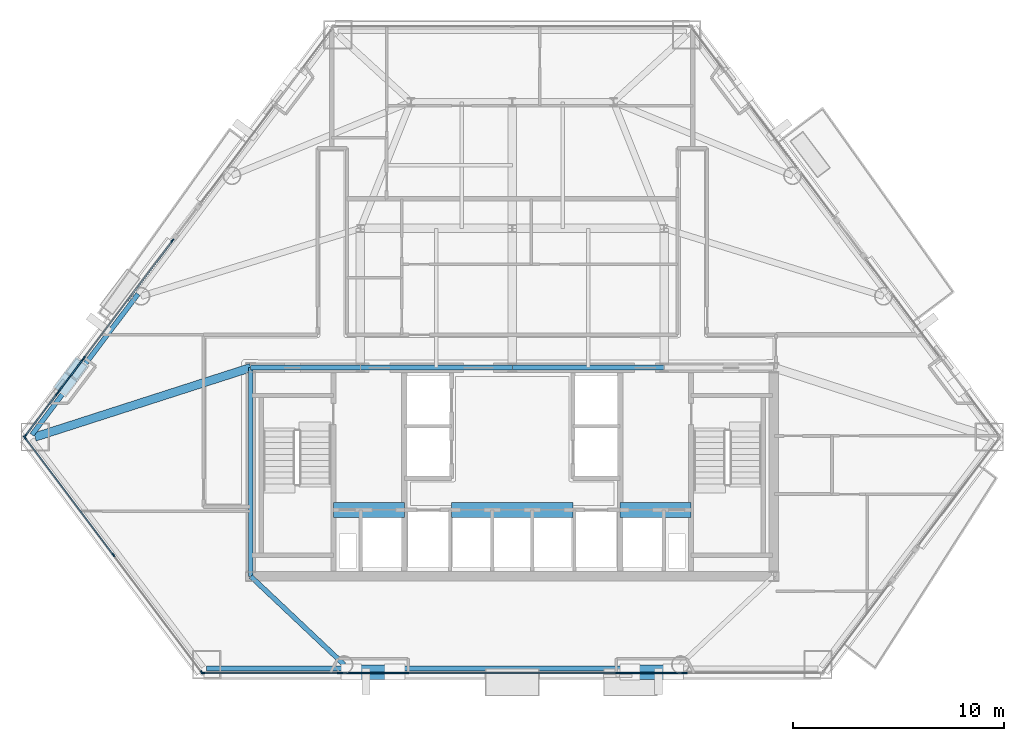
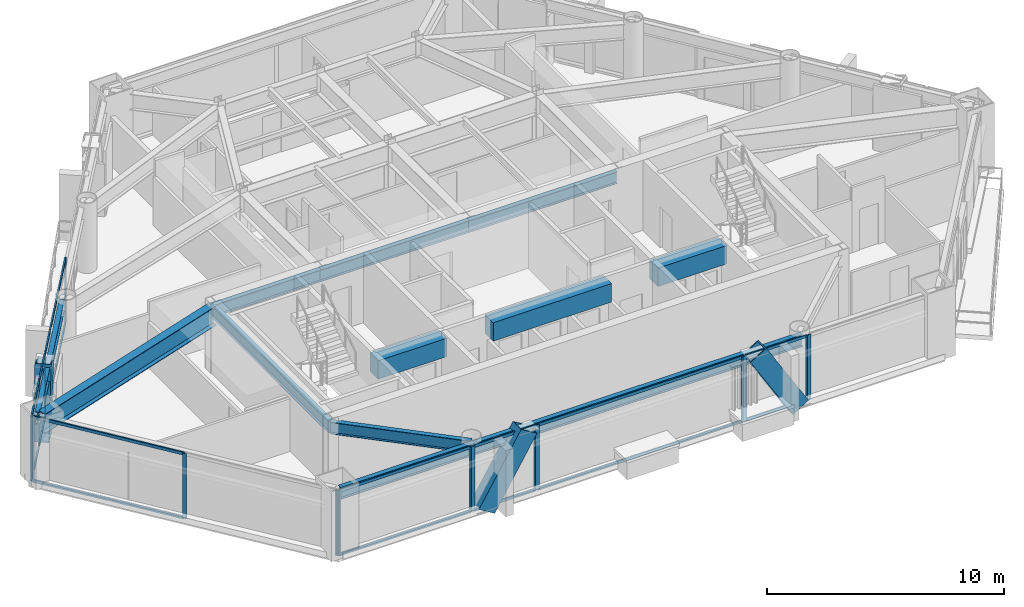
# One storey, part 2 of 11: 37 members, 12 beams, 9 elements without a shape of their own.
"""IFC4 building model written with IfcOpenShell, lengths in metres."""

from ifc_helpers import new_model, si_unit, direction, frame, origin, origin_2d, place, context, subcontext, project, spatial, rectangle, hollow_rectangle, i_section, extrude, material, layer, layer_set, material_profile, profile_set, type_object, element, aggregate, save


model = new_model("IFC4")

# Units and contexts
model_context = context("Model", 3, precision=1e-05, world=origin(), true_north=direction((0.0, 1.0)))
body_context = subcontext(model_context, "Body", "Model", "MODEL_VIEW")
ifc_project = project(units=[si_unit("LENGTHUNIT", "METRE"), si_unit("AREAUNIT", "SQUARE_METRE"), si_unit("VOLUMEUNIT", "CUBIC_METRE"), si_unit("PLANEANGLEUNIT", "RADIAN"), si_unit("MASSUNIT", "GRAM", prefix="KILO")], contexts=[model_context])

# Site, building, storey
site_placement = place(None, origin())
site = spatial("IfcSite", under=ifc_project, at=site_placement, CompositionType="ELEMENT")
building_placement = place(site_placement, origin())
building = spatial("IfcBuilding", under=site, at=building_placement, Name="Talgorran Terracotta Tower", CompositionType="ELEMENT")
storey_placement = place(building_placement, frame((0.0, 0.0, 27.89990234375)))
storey = spatial("IfcBuildingStorey", under=building, at=storey_placement, Name="L06", CompositionType="ELEMENT", Elevation=27.89990234375)

# Beams
ifc_material_1 = material(Name="Steel Grade 350 (350L0)", Category="steel")
ifc_material_profile_1 = material_profile(ifc_material_1, i_section(OverallWidth=0.39990234375, OverallDepth=1.0, WebThickness=0.01611328125, FlangeThickness=0.031005859375, at=origin_2d()), Name="1000WB296")
ifc_profile_set_1 = profile_set([ifc_material_profile_1], Name="Steel Grade 350 (350L0)")
beam_type_1 = type_object("IfcBeamType", Name="BM_1000WB296", PredefinedType="BEAM", material=ifc_profile_set_1)
beam_1_placement = place(storey_placement, frame((-12.39990234375, -4.199951171875, 2.85009765625), z_axis=(-0.951935828117, -0.306297533694, 0.0), x_axis=(0.306297533694, -0.951935828117, 0.0)))
element("IfcBeam", 1, at=beam_1_placement, inside=storey, type_object=beam_type_1, Name="L06 Floor Girder G17", PredefinedType="BEAM", context=body_context, shape_type="SweptSolid", body=[
    extrude(i_section(OverallWidth=0.39990234375, OverallDepth=1.0, WebThickness=0.01611328125, FlangeThickness=0.031005859375, at=origin_2d()), origin(), (0.0, 0.0, 1.0), 10.742919921875),
])
ifc_material_2 = material(Name="Concrete C65/80", Category="concrete")
ifc_material_profile_2 = material_profile(ifc_material_2, rectangle(XDim=0.699951171875, YDim=0.949951171875, at=origin_2d()), Name="RCCB700X950")
ifc_profile_set_2 = profile_set([ifc_material_profile_2], Name="Concrete C65/80")
beam_type_2 = type_object("IfcBeamType", Name="BM_CB_700X950", PredefinedType="LINTEL", material=ifc_profile_set_2)
beam_2_placement = place(storey_placement, frame((-8.47998046875, -10.949951171875, 2.875), z_axis=(1.0, 0.0, 0.0), x_axis=(0.0, 1.0, 0.0)))
element("IfcBeam", 2, at=beam_2_placement, inside=storey, type_object=beam_type_2, Name="L06 Core Shear-Wall Coupling Beam CB1", PredefinedType="LINTEL", context=body_context, shape_type="SweptSolid", body=[
    extrude(rectangle(XDim=0.699951171875, YDim=0.949951171875, at=origin_2d()), origin(), (0.0, 0.0, 1.0), 3.35986328125),
])
beam_3_placement = place(storey_placement, frame((-2.8798828125, -10.949951171875, 2.875), z_axis=(1.0, 0.0, 0.0), x_axis=(0.0, 1.0, 0.0)))
element("IfcBeam", 3, at=beam_3_placement, inside=storey, type_object=beam_type_2, Name="L06 Core Shear-Wall Coupling Beam CB2", PredefinedType="LINTEL", context=body_context, shape_type="SweptSolid", body=[
    extrude(rectangle(XDim=0.699951171875, YDim=0.949951171875, at=origin_2d()), origin(), (0.0, 0.0, 1.0), 5.759765625),
])
beam_4_placement = place(storey_placement, frame((5.1201171875, -10.949951171875, 2.875), z_axis=(1.0, 0.0, 0.0), x_axis=(0.0, 1.0, 0.0)))
element("IfcBeam", 4, at=beam_4_placement, inside=storey, type_object=beam_type_2, Name="L06 Core Shear-Wall Coupling Beam CB3", PredefinedType="LINTEL", context=body_context, shape_type="SweptSolid", body=[
    extrude(rectangle(XDim=0.699951171875, YDim=0.949951171875, at=origin_2d()), origin(), (0.0, 0.0, 1.0), 3.35986328125),
])
ifc_material_3 = material(Name="Steel S355 (300PLUS)", Category="steel")
ifc_material_profile_3 = material_profile(ifc_material_3, i_section(OverallWidth=0.22900390625, OverallDepth=0.611572265625, WebThickness=0.011962890625, FlangeThickness=0.01953125, at=origin_2d()), Name="610UB125")
ifc_profile_set_3 = profile_set([ifc_material_profile_3], Name="Steel S355 (300PLUS)")
beam_type_3 = type_object("IfcBeamType", Name="BM_SP_610UB125", PredefinedType="SPANDREL", material=ifc_profile_set_3)
beam_5_placement = place(storey_placement, frame((-14.495849609375, -18.4599609375, 3.044189453125), z_axis=(1.0, 0.0, 0.0), x_axis=(0.0, 1.0, 0.0)))
element("IfcBeam", 5, at=beam_5_placement, inside=storey, type_object=beam_type_3, Name="L06 Perimeter Spandrel Beam MC2-FC1", PredefinedType="SPANDREL", context=body_context, shape_type="SweptSolid", body=[
    extrude(i_section(OverallWidth=0.22900390625, OverallDepth=0.611572265625, WebThickness=0.011962890625, FlangeThickness=0.01953125, at=origin_2d()), origin(), (0.0, 0.0, 1.0), 6.523193359375),
])
beam_6_placement = place(storey_placement, frame((-7.97265625, -18.4599609375, 3.044189453125), z_axis=(1.0, 0.0, 0.0), x_axis=(0.0, 1.0, 0.0)))
element("IfcBeam", 6, at=beam_6_placement, inside=storey, type_object=beam_type_3, Name="L06 Perimeter Spandrel Beam FC1-FC2", PredefinedType="SPANDREL", context=body_context, shape_type="SweptSolid", body=[
    extrude(i_section(OverallWidth=0.22900390625, OverallDepth=0.611572265625, WebThickness=0.011962890625, FlangeThickness=0.01953125, at=origin_2d()), origin(), (0.0, 0.0, 1.0), 15.9453125),
])
beam_7_placement = place(storey_placement, frame((-17.7431640625, -0.710693359375, 3.044189453125), z_axis=(-0.601803503312, -0.798644190739, 0.0), x_axis=(0.798644190739, -0.601803503312, 0.0)))
element("IfcBeam", 7, at=beam_7_placement, inside=storey, type_object=beam_type_3, Name="L06 Perimeter Spandrel Beam FC6-MC1", PredefinedType="SPANDREL", context=body_context, shape_type="SweptSolid", body=[
    extrude(i_section(OverallWidth=0.22900390625, OverallDepth=0.611572265625, WebThickness=0.011962890625, FlangeThickness=0.01953125, at=origin_2d()), origin(), (0.0, 0.0, 1.0), 8.353271484375),
])
beam_8_placement = place(storey_placement, frame((-7.97265625, -18.280029296875, 3.044189453125), z_axis=(-0.727124342691, 0.686505783126, 0.0), x_axis=(-0.686505783126, -0.727124342691, 0.0)))
element("IfcBeam", 8, at=beam_8_placement, inside=storey, type_object=beam_type_3, Name="L06 South-West Core Tie Beam", PredefinedType="SPANDREL", context=body_context, shape_type="SweptSolid", body=[
    extrude(i_section(OverallWidth=0.22900390625, OverallDepth=0.611572265625, WebThickness=0.011962890625, FlangeThickness=0.01953125, at=origin_2d()), origin(), (0.0, 0.0, 1.0), 6.088623046875),
])
beam_9_placement = place(storey_placement, frame((-12.39990234375, -14.10009765625, 3.044189453125), z_axis=(0.0, 1.0, 0.0), x_axis=(-1.0, 0.0, 0.0)))
element("IfcBeam", 9, at=beam_9_placement, inside=storey, type_object=beam_type_3, Name="L06 Core Frame Beam CFW", PredefinedType="SPANDREL", context=body_context, shape_type="SweptSolid", body=[
    extrude(i_section(OverallWidth=0.22900390625, OverallDepth=0.611572265625, WebThickness=0.011962890625, FlangeThickness=0.01953125, at=origin_2d()), origin(), (0.0, 0.0, 1.0), 9.900146484375),
])
beam_10_placement = place(storey_placement, frame((-12.39990234375, -4.199951171875, 3.044189453125), z_axis=(1.0, 0.0, 0.0), x_axis=(0.0, 1.0, 0.0)))
element("IfcBeam", 10, at=beam_10_placement, inside=storey, type_object=beam_type_3, Name="L06 Core Frame Beam CFN1", PredefinedType="SPANDREL", context=body_context, shape_type="SweptSolid", body=[
    extrude(i_section(OverallWidth=0.22900390625, OverallDepth=0.611572265625, WebThickness=0.011962890625, FlangeThickness=0.01953125, at=origin_2d()), origin(), (0.0, 0.0, 1.0), 5.199951171875),
])
for number, where, z_axis, x_axis, name in (
    (11, (-7.199951171875, -4.199951171875, 3.044189453125), (1.0, 0.0, 0.0), (0.0, 1.0, 0.0), "L06 Core Frame Beam CFN2"),
    (12, (0.0, -4.199951171875, 3.044189453125), (1.0, 0.0, 0.0), (0.0, 1.0, 0.0), "L06 Core Frame Beam CFN3"),
):
    element("IfcBeam", number, at=place(storey_placement, frame(where, z_axis=z_axis, x_axis=x_axis)), inside=storey, type_object=beam_type_3, Name=name, PredefinedType="SPANDREL", context=body_context, shape_type="SweptSolid", body=[
        extrude(i_section(OverallWidth=0.22900390625, OverallDepth=0.611572265625, WebThickness=0.011962890625, FlangeThickness=0.01953125, at=origin_2d()), origin(), (0.0, 0.0, 1.0), 7.199951171875),
    ])

# Members
ifc_material_profile_4 = material_profile(ifc_material_1, hollow_rectangle(XDim=0.699951171875, YDim=0.89990234375, WallThickness=0.050048828125, at=origin_2d()), Name="WBOX900X700X50")
ifc_profile_set_4 = profile_set([ifc_material_profile_4], Name="Steel Grade 350 (350L0)")
member_type_1 = type_object("IfcMemberType", Name="MB_MEGA_900", PredefinedType="BRACE", material=ifc_profile_set_4)
for number, where, z_axis, x_axis, name in (
    (13, (-7.631103515625, -18.639892578125, -0.02490234375), (0.517177547042, 0.0, 0.855878136673), (0.0, 1.0, 0.0), "L06 Exterior Face Mega-Brace MB-1 (SWF)"),
    (14, (7.631103515625, -18.639892578125, -0.02490234375), (-0.517177547042, 0.0, 0.855878136673), (0.0, -1.0, 0.0), "L06 Exterior Face Mega-Brace MB-1 (SEF)"),
):
    element("IfcMember", number, at=place(storey_placement, frame(where, z_axis=z_axis, x_axis=x_axis)), inside=storey, type_object=member_type_1, Name=name, PredefinedType="BRACE", context=body_context, shape_type="SweptSolid", body=[
        extrude(hollow_rectangle(XDim=0.699951171875, YDim=0.89990234375, WallThickness=0.050048828125, at=origin_2d()), origin(), (0.0, 0.0, 1.0), 3.972412109375),
    ])
member_1_placement = place(storey_placement, frame((-21.189453125, -4.985107421875, -0.02490234375), z_axis=(0.153970521354, 0.204299028109, 0.966723841471), x_axis=(-0.79859763006, 0.601865288302, 0.0)))
element("IfcMember", 15, at=member_1_placement, inside=storey, type_object=member_type_1, Name="L06 Exterior Face Mega-Brace MB-1 (NWL)", PredefinedType="BRACE", context=body_context, shape_type="SweptSolid", body=[
    extrude(hollow_rectangle(XDim=0.699951171875, YDim=0.89990234375, WallThickness=0.050048828125, at=origin_2d()), origin(), (0.0, 0.0, 1.0), 3.516845703125),
])

# Curtain wall, members
ifc_material_4 = material(Name="Unitised Low-E Double Glazing", Category="glass")
ifc_layer = layer(ifc_material_4, 0.199951171875, Name="CW_SYS2_RES_LOW")
ifc_layer_set = layer_set([ifc_layer], Name="Unitised Low-E Double Glazing")
curtain_wall_type = type_object("IfcCurtainWallType", Name="CW_SYS2_RES_LOW", PredefinedType="NOTDEFINED", material=ifc_layer_set)
curtain_wall_1_placement = place(storey_placement, origin())
curtain_wall_1 = element("IfcCurtainWall", 16, at=curtain_wall_1_placement, inside=storey, type_object=curtain_wall_type, Name="CW-L06-F0", PredefinedType="NOTDEFINED")
ifc_material_5 = material(Name="Architectural Aluminium 6063-T6", Category="aluminium")
ifc_material_profile_5 = material_profile(ifc_material_5, rectangle(XDim=0.06494140625, YDim=0.18505859375, at=origin_2d()), Name="CWM65X185")
ifc_profile_set_5 = profile_set([ifc_material_profile_5], Name="Architectural Aluminium 6063-T6")
member_type_2 = type_object("IfcMemberType", Name="MUL_65X185", PredefinedType="MULLION", material=ifc_profile_set_5)
member_2_placement = place(storey_placement, frame((-23.107666015625, -7.516357421875, 0.0), z_axis=(0.0, 0.0, 1.0), x_axis=(0.79863785641, 0.60181190941, 0.0)))
member_2 = element("IfcMember", 17, at=member_2_placement, type_object=member_type_2, Name="CW-L06-0 mullion 1", PredefinedType="MULLION", context=body_context, shape_type="SweptSolid", body=[
    extrude(rectangle(XDim=0.06494140625, YDim=0.18505859375, at=origin_2d()), origin(), (0.0, 0.0, 1.0), 3.35009765625),
])
member_3_placement = place(storey_placement, frame((-18.911376953125, -13.085205078125, 0.0), z_axis=(0.0, 0.0, 1.0), x_axis=(0.79863785641, 0.60181190941, 0.0)))
member_3 = element("IfcMember", 18, at=member_3_placement, type_object=member_type_2, Name="CW-L06-0 mullion 2", PredefinedType="MULLION", context=body_context, shape_type="SweptSolid", body=[
    extrude(rectangle(XDim=0.06494140625, YDim=0.18505859375, at=origin_2d()), origin(), (0.0, 0.0, 1.0), 3.35009765625),
])
member_4_placement = place(storey_placement, frame((-14.71484375, -18.654052734375, 0.0), z_axis=(0.0, 0.0, 1.0), x_axis=(0.79863785641, 0.60181190941, 0.0)))
member_4 = element("IfcMember", 19, at=member_4_placement, type_object=member_type_2, Name="CW-L06-0 mullion 3", PredefinedType="MULLION", context=body_context, shape_type="SweptSolid", body=[
    extrude(rectangle(XDim=0.06494140625, YDim=0.18505859375, at=origin_2d()), origin(), (0.0, 0.0, 1.0), 3.35009765625),
])

curtain_wall_2_placement = place(storey_placement, origin())
curtain_wall_2 = element("IfcCurtainWall", 20, at=curtain_wall_2_placement, inside=storey, type_object=curtain_wall_type, Name="CW-L06-F1", PredefinedType="NOTDEFINED")
member_5_placement = place(storey_placement, frame((-14.662841796875, -18.679931640625, 0.0), z_axis=(0.0, 0.0, 1.0), x_axis=(0.0, 1.0, 0.0)))
member_5 = element("IfcMember", 21, at=member_5_placement, type_object=member_type_2, Name="CW-L06-1 mullion 1", PredefinedType="MULLION", context=body_context, shape_type="SweptSolid", body=[
    extrude(rectangle(XDim=0.06494140625, YDim=0.18505859375, at=origin_2d()), origin(), (0.0, 0.0, 1.0), 3.35009765625),
])
member_6_placement = place(storey_placement, frame((-8.203857421875, -18.679931640625, 0.0), z_axis=(0.0, 0.0, 1.0), x_axis=(0.0, 1.0, 0.0)))
member_6 = element("IfcMember", 22, at=member_6_placement, type_object=member_type_2, Name="CW-L06-1 mullion 2", PredefinedType="MULLION", context=body_context, shape_type="SweptSolid", body=[
    extrude(rectangle(XDim=0.06494140625, YDim=0.18505859375, at=origin_2d()), origin(), (0.0, 0.0, 1.0), 3.35009765625),
])

curtain_wall_3_placement = place(storey_placement, origin())
curtain_wall_3 = element("IfcCurtainWall", 23, at=curtain_wall_3_placement, inside=storey, type_object=curtain_wall_type, Name="CW-L06-F1B", PredefinedType="NOTDEFINED")
member_7_placement = place(storey_placement, frame((-8.12890625, -18.679931640625, 0.0), z_axis=(0.0, 0.0, 1.0), x_axis=(0.0, 1.0, 0.0)))
member_7 = element("IfcMember", 24, at=member_7_placement, type_object=member_type_2, Name="CW-L06-1B mullion 1", PredefinedType="MULLION", context=body_context, shape_type="SweptSolid", body=[
    extrude(rectangle(XDim=0.06494140625, YDim=0.18505859375, at=origin_2d()), origin(), (0.0, 0.0, 1.0), 3.35009765625),
])
member_8_placement = place(storey_placement, frame((-5.0791015625, -18.679931640625, 0.0), z_axis=(0.0, 0.0, 1.0), x_axis=(0.0, 1.0, 0.0)))
member_8 = element("IfcMember", 25, at=member_8_placement, type_object=member_type_2, Name="CW-L06-1B mullion 2", PredefinedType="MULLION", context=body_context, shape_type="SweptSolid", body=[
    extrude(rectangle(XDim=0.06494140625, YDim=0.18505859375, at=origin_2d()), origin(), (0.0, 0.0, 1.0), 3.35009765625),
])

curtain_wall_4_placement = place(storey_placement, origin())
curtain_wall_4 = element("IfcCurtainWall", 26, at=curtain_wall_4_placement, inside=storey, type_object=curtain_wall_type, Name="CW-L06-F1C", PredefinedType="NOTDEFINED")
member_9_placement = place(storey_placement, frame((-5.004150390625, -18.679931640625, 0.0), z_axis=(0.0, 0.0, 1.0), x_axis=(0.0, 1.0, 0.0)))
member_9 = element("IfcMember", 27, at=member_9_placement, type_object=member_type_2, Name="CW-L06-1C mullion 1", PredefinedType="MULLION", context=body_context, shape_type="SweptSolid", body=[
    extrude(rectangle(XDim=0.06494140625, YDim=0.18505859375, at=origin_2d()), origin(), (0.0, 0.0, 1.0), 3.35009765625),
])
member_10_placement = place(storey_placement, frame((5.004150390625, -18.679931640625, 0.0), z_axis=(0.0, 0.0, 1.0), x_axis=(0.0, 1.0, 0.0)))
member_10 = element("IfcMember", 28, at=member_10_placement, type_object=member_type_2, Name="CW-L06-1C mullion 2", PredefinedType="MULLION", context=body_context, shape_type="SweptSolid", body=[
    extrude(rectangle(XDim=0.06494140625, YDim=0.18505859375, at=origin_2d()), origin(), (0.0, 0.0, 1.0), 3.35009765625),
])

curtain_wall_5_placement = place(storey_placement, origin())
curtain_wall_5 = element("IfcCurtainWall", 29, at=curtain_wall_5_placement, inside=storey, type_object=curtain_wall_type, Name="CW-L06-F1D", PredefinedType="NOTDEFINED")
member_11_placement = place(storey_placement, frame((5.0791015625, -18.679931640625, 0.0), z_axis=(0.0, 0.0, 1.0), x_axis=(0.0, 1.0, 0.0)))
member_11 = element("IfcMember", 30, at=member_11_placement, type_object=member_type_2, Name="CW-L06-1D mullion 1", PredefinedType="MULLION", context=body_context, shape_type="SweptSolid", body=[
    extrude(rectangle(XDim=0.06494140625, YDim=0.18505859375, at=origin_2d()), origin(), (0.0, 0.0, 1.0), 3.35009765625),
])
member_12_placement = place(storey_placement, frame((8.12890625, -18.679931640625, 0.0), z_axis=(0.0, 0.0, 1.0), x_axis=(0.0, 1.0, 0.0)))
member_12 = element("IfcMember", 31, at=member_12_placement, type_object=member_type_2, Name="CW-L06-1D mullion 2", PredefinedType="MULLION", context=body_context, shape_type="SweptSolid", body=[
    extrude(rectangle(XDim=0.06494140625, YDim=0.18505859375, at=origin_2d()), origin(), (0.0, 0.0, 1.0), 3.35009765625),
])

# Curtain wall, member
curtain_wall_6_placement = place(storey_placement, origin())
curtain_wall_6 = element("IfcCurtainWall", 32, at=curtain_wall_6_placement, inside=storey, type_object=curtain_wall_type, Name="CW-L06-F1E", PredefinedType="NOTDEFINED")
member_13_placement = place(storey_placement, frame((8.203857421875, -18.679931640625, 0.0), z_axis=(0.0, 0.0, 1.0), x_axis=(0.0, 1.0, 0.0)))
member_13 = element("IfcMember", 33, at=member_13_placement, type_object=member_type_2, Name="CW-L06-1E mullion 1", PredefinedType="MULLION", context=body_context, shape_type="SweptSolid", body=[
    extrude(rectangle(XDim=0.06494140625, YDim=0.18505859375, at=origin_2d()), origin(), (0.0, 0.0, 1.0), 3.35009765625),
])
aggregate(curtain_wall_6, [member_13])

# Curtain wall, members
curtain_wall_7_placement = place(storey_placement, origin())
curtain_wall_7 = element("IfcCurtainWall", 34, at=curtain_wall_7_placement, inside=storey, type_object=curtain_wall_type, Name="CW-L06-F61", PredefinedType="NOTDEFINED")
member_14_placement = place(storey_placement, frame((-16.113037109375, 1.81787109375, 0.0), z_axis=(0.0, 0.0, 1.0), x_axis=(0.798641070921, -0.601807643553, 0.0)))
member_14 = element("IfcMember", 35, at=member_14_placement, type_object=member_type_2, Name="CW-L06-61 mullion 1", PredefinedType="MULLION", context=body_context, shape_type="SweptSolid", body=[
    extrude(rectangle(XDim=0.06494140625, YDim=0.18505859375, at=origin_2d()), origin(), (0.0, 0.0, 1.0), 3.35009765625),
])
member_15_placement = place(storey_placement, frame((-20.30517578125, -3.745361328125, 0.0), z_axis=(0.0, 0.0, 1.0), x_axis=(0.798641070921, -0.601807643553, 0.0)))
member_15 = element("IfcMember", 36, at=member_15_placement, type_object=member_type_2, Name="CW-L06-61 mullion 2", PredefinedType="MULLION", context=body_context, shape_type="SweptSolid", body=[
    extrude(rectangle(XDim=0.06494140625, YDim=0.18505859375, at=origin_2d()), origin(), (0.0, 0.0, 1.0), 3.35009765625),
])

curtain_wall_8_placement = place(storey_placement, origin())
curtain_wall_8 = element("IfcCurtainWall", 37, at=curtain_wall_8_placement, inside=storey, type_object=curtain_wall_type, Name="CW-L06-F61B", PredefinedType="NOTDEFINED")
member_16_placement = place(storey_placement, frame((-20.350341796875, -3.80517578125, 0.0), z_axis=(0.0, 0.0, 1.0), x_axis=(0.798652255577, -0.601792800441, 0.0)))
member_16 = element("IfcMember", 38, at=member_16_placement, type_object=member_type_2, Name="CW-L06-61B mullion 1", PredefinedType="MULLION", context=body_context, shape_type="SweptSolid", body=[
    extrude(rectangle(XDim=0.06494140625, YDim=0.18505859375, at=origin_2d()), origin(), (0.0, 0.0, 1.0), 3.35009765625),
])
member_17_placement = place(storey_placement, frame((-21.55078125, -5.3984375, 0.0), z_axis=(0.0, 0.0, 1.0), x_axis=(0.798652255577, -0.601792800441, 0.0)))
member_17 = element("IfcMember", 39, at=member_17_placement, type_object=member_type_2, Name="CW-L06-61B mullion 2", PredefinedType="MULLION", context=body_context, shape_type="SweptSolid", body=[
    extrude(rectangle(XDim=0.06494140625, YDim=0.18505859375, at=origin_2d()), origin(), (0.0, 0.0, 1.0), 3.35009765625),
])

curtain_wall_9_placement = place(storey_placement, origin())
curtain_wall_9 = element("IfcCurtainWall", 40, at=curtain_wall_9_placement, inside=storey, type_object=curtain_wall_type, Name="CW-L06-F61C", PredefinedType="NOTDEFINED")
member_18_placement = place(storey_placement, frame((-21.595947265625, -5.458251953125, 0.0), z_axis=(0.0, 0.0, 1.0), x_axis=(0.79864521262, -0.601802147187, 0.0)))
member_18 = element("IfcMember", 41, at=member_18_placement, type_object=member_type_2, Name="CW-L06-61C mullion 1", PredefinedType="MULLION", context=body_context, shape_type="SweptSolid", body=[
    extrude(rectangle(XDim=0.06494140625, YDim=0.18505859375, at=origin_2d()), origin(), (0.0, 0.0, 1.0), 3.35009765625),
])
member_19_placement = place(storey_placement, frame((-23.083740234375, -7.4326171875, 0.0), z_axis=(0.0, 0.0, 1.0), x_axis=(0.79864521262, -0.601802147187, 0.0)))
member_19 = element("IfcMember", 42, at=member_19_placement, type_object=member_type_2, Name="CW-L06-61C mullion 2", PredefinedType="MULLION", context=body_context, shape_type="SweptSolid", body=[
    extrude(rectangle(XDim=0.06494140625, YDim=0.18505859375, at=origin_2d()), origin(), (0.0, 0.0, 1.0), 3.35009765625),
])

# Member
ifc_material_profile_6 = material_profile(ifc_material_5, rectangle(XDim=0.06494140625, YDim=0.14990234375, at=origin_2d()), Name="CWT65X150")
ifc_profile_set_6 = profile_set([ifc_material_profile_6], Name="Architectural Aluminium 6063-T6")
member_type_3 = type_object("IfcMemberType", Name="TRN_65X150", PredefinedType="USERDEFINED", material=ifc_profile_set_6)
member_20_placement = place(storey_placement, frame((-23.088134765625, -7.542236328125, 0.03271484375), z_axis=(0.601796664626, -0.798649343858, 0.0), x_axis=(0.798649343858, 0.601796664626, 0.0)))
member_20 = element("IfcMember", 43, at=member_20_placement, type_object=member_type_3, Name="CW-L06-0 transom 1.1", ObjectType="TRANSOM", PredefinedType="USERDEFINED", context=body_context, shape_type="SweptSolid", body=[
    extrude(rectangle(XDim=0.06494140625, YDim=0.14990234375, at=origin_2d()), origin(), (0.0, 0.0, 1.0), 6.907958984375),
])

member_21_placement = place(storey_placement, frame((-23.088134765625, -7.542236328125, 3.317626953125), z_axis=(0.601796664626, -0.798649343858, 0.0), x_axis=(0.798649343858, 0.601796664626, 0.0)))
member_21 = element("IfcMember", 44, at=member_21_placement, type_object=member_type_3, Name="CW-L06-0 transom 1.2", ObjectType="TRANSOM", PredefinedType="USERDEFINED", context=body_context, shape_type="SweptSolid", body=[
    extrude(rectangle(XDim=0.06494140625, YDim=0.14990234375, at=origin_2d()), origin(), (0.0, 0.0, 1.0), 6.907958984375),
])

aggregate(curtain_wall_1, [member_2, member_3, member_4, member_20, member_21])

member_22_placement = place(storey_placement, frame((-14.63037109375, -18.679931640625, 0.03271484375), z_axis=(1.0, 0.0, 0.0), x_axis=(0.0, 1.0, 0.0)))
member_22 = element("IfcMember", 45, at=member_22_placement, type_object=member_type_3, Name="CW-L06-1 transom 1.1", ObjectType="TRANSOM", PredefinedType="USERDEFINED", context=body_context, shape_type="SweptSolid", body=[
    extrude(rectangle(XDim=0.06494140625, YDim=0.14990234375, at=origin_2d()), origin(), (0.0, 0.0, 1.0), 6.39404296875),
])

member_23_placement = place(storey_placement, frame((-14.63037109375, -18.679931640625, 3.317626953125), z_axis=(1.0, 0.0, 0.0), x_axis=(0.0, 1.0, 0.0)))
member_23 = element("IfcMember", 46, at=member_23_placement, type_object=member_type_3, Name="CW-L06-1 transom 1.2", ObjectType="TRANSOM", PredefinedType="USERDEFINED", context=body_context, shape_type="SweptSolid", body=[
    extrude(rectangle(XDim=0.06494140625, YDim=0.14990234375, at=origin_2d()), origin(), (0.0, 0.0, 1.0), 6.39404296875),
])

aggregate(curtain_wall_2, [member_5, member_6, member_22, member_23])

member_24_placement = place(storey_placement, frame((-8.09619140625, -18.679931640625, 0.03271484375), z_axis=(1.0, 0.0, 0.0), x_axis=(0.0, 1.0, 0.0)))
member_24 = element("IfcMember", 47, at=member_24_placement, type_object=member_type_3, Name="CW-L06-1B transom 1.1", ObjectType="TRANSOM", PredefinedType="USERDEFINED", context=body_context, shape_type="SweptSolid", body=[
    extrude(rectangle(XDim=0.06494140625, YDim=0.14990234375, at=origin_2d()), origin(), (0.0, 0.0, 1.0), 2.984619140625),
])

member_25_placement = place(storey_placement, frame((-8.09619140625, -18.679931640625, 3.317626953125), z_axis=(1.0, 0.0, 0.0), x_axis=(0.0, 1.0, 0.0)))
member_25 = element("IfcMember", 48, at=member_25_placement, type_object=member_type_3, Name="CW-L06-1B transom 1.2", ObjectType="TRANSOM", PredefinedType="USERDEFINED", context=body_context, shape_type="SweptSolid", body=[
    extrude(rectangle(XDim=0.06494140625, YDim=0.14990234375, at=origin_2d()), origin(), (0.0, 0.0, 1.0), 2.984619140625),
])

aggregate(curtain_wall_3, [member_7, member_8, member_24, member_25])

member_26_placement = place(storey_placement, frame((-4.9716796875, -18.679931640625, 0.03271484375), z_axis=(1.0, 0.0, 0.0), x_axis=(0.0, 1.0, 0.0)))
member_26 = element("IfcMember", 49, at=member_26_placement, type_object=member_type_3, Name="CW-L06-1C transom 1.1", ObjectType="TRANSOM", PredefinedType="USERDEFINED", context=body_context, shape_type="SweptSolid", body=[
    extrude(rectangle(XDim=0.06494140625, YDim=0.14990234375, at=origin_2d()), origin(), (0.0, 0.0, 1.0), 9.943359375),
])

member_27_placement = place(storey_placement, frame((-4.9716796875, -18.679931640625, 3.317626953125), z_axis=(1.0, 0.0, 0.0), x_axis=(0.0, 1.0, 0.0)))
member_27 = element("IfcMember", 50, at=member_27_placement, type_object=member_type_3, Name="CW-L06-1C transom 1.2", ObjectType="TRANSOM", PredefinedType="USERDEFINED", context=body_context, shape_type="SweptSolid", body=[
    extrude(rectangle(XDim=0.06494140625, YDim=0.14990234375, at=origin_2d()), origin(), (0.0, 0.0, 1.0), 9.943359375),
])

aggregate(curtain_wall_4, [member_9, member_10, member_26, member_27])

member_28_placement = place(storey_placement, frame((5.111572265625, -18.679931640625, 0.03271484375), z_axis=(1.0, 0.0, 0.0), x_axis=(0.0, 1.0, 0.0)))
member_28 = element("IfcMember", 51, at=member_28_placement, type_object=member_type_3, Name="CW-L06-1D transom 1.1", ObjectType="TRANSOM", PredefinedType="USERDEFINED", context=body_context, shape_type="SweptSolid", body=[
    extrude(rectangle(XDim=0.06494140625, YDim=0.14990234375, at=origin_2d()), origin(), (0.0, 0.0, 1.0), 2.984619140625),
])

member_29_placement = place(storey_placement, frame((5.111572265625, -18.679931640625, 3.317626953125), z_axis=(1.0, 0.0, 0.0), x_axis=(0.0, 1.0, 0.0)))
member_29 = element("IfcMember", 52, at=member_29_placement, type_object=member_type_3, Name="CW-L06-1D transom 1.2", ObjectType="TRANSOM", PredefinedType="USERDEFINED", context=body_context, shape_type="SweptSolid", body=[
    extrude(rectangle(XDim=0.06494140625, YDim=0.14990234375, at=origin_2d()), origin(), (0.0, 0.0, 1.0), 2.984619140625),
])

aggregate(curtain_wall_5, [member_11, member_12, member_28, member_29])

member_30_placement = place(storey_placement, frame((-16.132568359375, 1.7919921875, 0.03271484375), z_axis=(-0.601804131718, -0.798643717215, 0.0), x_axis=(0.798643717215, -0.601804131718, 0.0)))
member_30 = element("IfcMember", 53, at=member_30_placement, type_object=member_type_3, Name="CW-L06-61 transom 1.1", ObjectType="TRANSOM", PredefinedType="USERDEFINED", context=body_context, shape_type="SweptSolid", body=[
    extrude(rectangle(XDim=0.06494140625, YDim=0.14990234375, at=origin_2d()), origin(), (0.0, 0.0, 1.0), 6.901123046875),
])

member_31_placement = place(storey_placement, frame((-16.132568359375, 1.7919921875, 3.317626953125), z_axis=(-0.601804131718, -0.798643717215, 0.0), x_axis=(0.798643717215, -0.601804131718, 0.0)))
member_31 = element("IfcMember", 54, at=member_31_placement, type_object=member_type_3, Name="CW-L06-61 transom 1.2", ObjectType="TRANSOM", PredefinedType="USERDEFINED", context=body_context, shape_type="SweptSolid", body=[
    extrude(rectangle(XDim=0.06494140625, YDim=0.14990234375, at=origin_2d()), origin(), (0.0, 0.0, 1.0), 6.901123046875),
])

aggregate(curtain_wall_7, [member_14, member_15, member_30, member_31])

member_32_placement = place(storey_placement, frame((-20.369873046875, -3.8310546875, 0.03271484375), z_axis=(-0.601799956866, -0.798646863085, 0.0), x_axis=(0.798646863085, -0.601799956866, 0.0)))
member_32 = element("IfcMember", 55, at=member_32_placement, type_object=member_type_3, Name="CW-L06-61B transom 1.1", ObjectType="TRANSOM", PredefinedType="USERDEFINED", context=body_context, shape_type="SweptSolid", body=[
    extrude(rectangle(XDim=0.06494140625, YDim=0.14990234375, at=origin_2d()), origin(), (0.0, 0.0, 1.0), 1.929931640625),
])

member_33_placement = place(storey_placement, frame((-20.369873046875, -3.8310546875, 3.317626953125), z_axis=(-0.601799956866, -0.798646863085, 0.0), x_axis=(0.798646863085, -0.601799956866, 0.0)))
member_33 = element("IfcMember", 56, at=member_33_placement, type_object=member_type_3, Name="CW-L06-61B transom 1.2", ObjectType="TRANSOM", PredefinedType="USERDEFINED", context=body_context, shape_type="SweptSolid", body=[
    extrude(rectangle(XDim=0.06494140625, YDim=0.14990234375, at=origin_2d()), origin(), (0.0, 0.0, 1.0), 1.929931640625),
])

aggregate(curtain_wall_8, [member_16, member_17, member_32, member_33])

member_34_placement = place(storey_placement, frame((-21.615478515625, -5.484130859375, 0.03271484375), z_axis=(-0.601783672642, -0.798659133386, 0.0), x_axis=(0.798659133386, -0.601783672642, 0.0)))
member_34 = element("IfcMember", 57, at=member_34_placement, type_object=member_type_3, Name="CW-L06-61C transom 1.1", ObjectType="TRANSOM", PredefinedType="USERDEFINED", context=body_context, shape_type="SweptSolid", body=[
    extrude(rectangle(XDim=0.06494140625, YDim=0.14990234375, at=origin_2d()), origin(), (0.0, 0.0, 1.0), 2.406982421875),
])

member_35_placement = place(storey_placement, frame((-21.615478515625, -5.484130859375, 3.317626953125), z_axis=(-0.601783672642, -0.798659133386, 0.0), x_axis=(0.798659133386, -0.601783672642, 0.0)))
member_35 = element("IfcMember", 58, at=member_35_placement, type_object=member_type_3, Name="CW-L06-61C transom 1.2", ObjectType="TRANSOM", PredefinedType="USERDEFINED", context=body_context, shape_type="SweptSolid", body=[
    extrude(rectangle(XDim=0.06494140625, YDim=0.14990234375, at=origin_2d()), origin(), (0.0, 0.0, 1.0), 2.406982421875),
])

aggregate(curtain_wall_9, [member_18, member_19, member_34, member_35])

save(model, "model.ifc")
